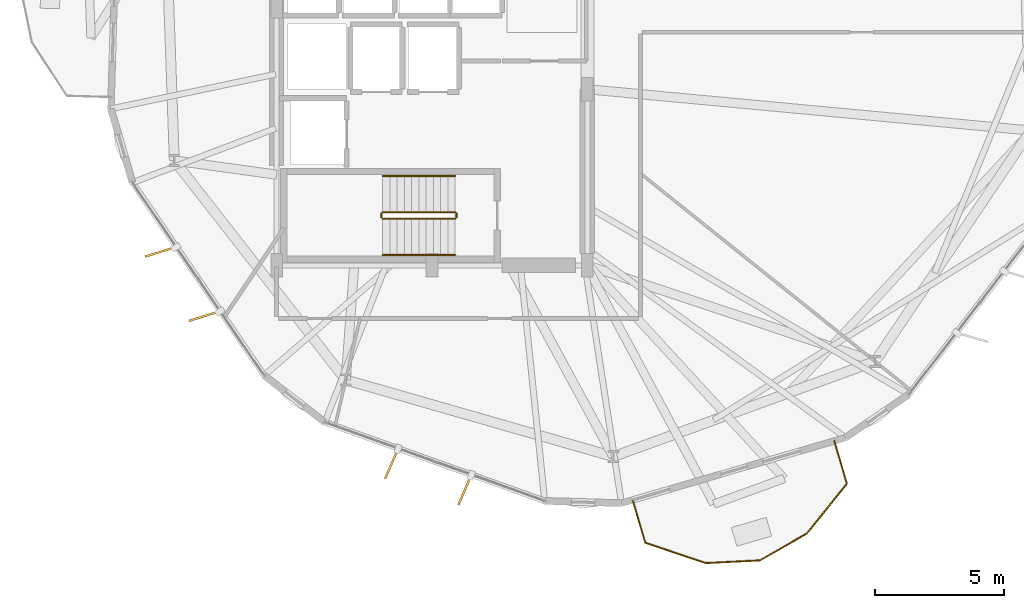
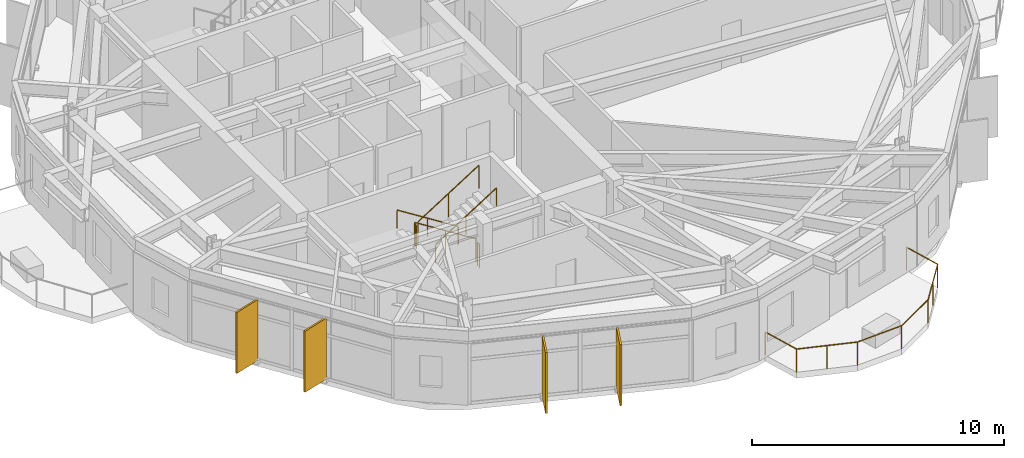
# One storey, part 22 of 24: 7 railings, 4 shading devices.
"""IFC4 building model written with IfcOpenShell, lengths in metres."""

from ifc_helpers import new_model, si_unit, direction, frame, origin, origin_2d, place, context, subcontext, project, spatial, rectangle, circle, extrude, material, layer, layer_set, type_object, element, save


model = new_model("IFC4")

# Units and contexts
model_context = context("Model", 3, precision=1e-05, world=origin(), true_north=direction((0.0, 1.0)))
body_context = subcontext(model_context, "Body", "Model", "MODEL_VIEW")
ifc_project = project(units=[si_unit("LENGTHUNIT", "METRE"), si_unit("AREAUNIT", "SQUARE_METRE"), si_unit("VOLUMEUNIT", "CUBIC_METRE"), si_unit("PLANEANGLEUNIT", "RADIAN"), si_unit("MASSUNIT", "GRAM", prefix="KILO")], contexts=[model_context])

# Site, building, storey
site_placement = place(None, origin())
site = spatial("IfcSite", under=ifc_project, at=site_placement, CompositionType="ELEMENT")
building_placement = place(site_placement, origin())
building = spatial("IfcBuilding", under=site, at=building_placement, Name="Soratama Intermodal Tower", CompositionType="ELEMENT")
storey_placement = place(building_placement, frame((0.0, 0.0, 91.300048828125)))
storey = spatial("IfcBuildingStorey", under=building, at=storey_placement, Name="L21", CompositionType="ELEMENT", Elevation=91.300048828125)

# Railings
ifc_material_1 = material(Name="Laminated glass and stainless steel balustrade", Category="steel")
railing_type_1 = type_object("IfcRailingType", Name="RL-BAL-1150", PredefinedType="BALUSTRADE", material=ifc_material_1)
railing_1_placement = place(storey_placement, frame((54.142578125, 8.217529296875, 0.0)))
element("IfcRailing", 1, at=railing_1_placement, inside=storey, type_object=railing_type_1, Name="L21 Balcony Balustrade 4", PredefinedType="BALUSTRADE", context=body_context, shape_type="SweptSolid", body=[
    extrude(circle(Radius=0.02392578125, at=origin_2d()), frame((0.0, 0.0, 1.1259765625), z_axis=(0.281051817355, -0.959692594512, 0.0), x_axis=(0.959692594512, 0.281051817355, 0.0)), (0.0, 0.0, 1.0), 1.719970703125),
    extrude(circle(Radius=0.02392578125, at=origin_2d()), frame((0.4833984375, -1.650634765625, 1.1259765625), z_axis=(-0.626366479274, -0.779528725348, 0.0), x_axis=(0.779528725348, -0.626366479274, 0.0)), (0.0, 0.0, 1.0), 2.473876953125),
    extrude(circle(Radius=0.02392578125, at=origin_2d()), frame((-1.066162109375, -3.5791015625, 1.1259765625), z_axis=(-0.868113498984, -0.496365745072, 0.0), x_axis=(0.496365745072, -0.868113498984, 0.0)), (0.0, 0.0, 1.0), 2.08642578125),
    extrude(circle(Radius=0.02392578125, at=origin_2d()), frame((-2.87744140625, -4.61474609375, 1.1259765625), z_axis=(-0.998739172776, -0.050200246646, 0.0), x_axis=(0.050200246646, -0.998739172776, 0.0)), (0.0, 0.0, 1.0), 2.08642578125),
    extrude(circle(Radius=0.02392578125, at=origin_2d()), frame((-4.961181640625, -4.719482421875, 1.1259765625), z_axis=(-0.947940583729, 0.318447247938, 0.0), x_axis=(-0.318447247938, -0.947940583729, 0.0)), (0.0, 0.0, 1.0), 2.47412109375),
    extrude(circle(Radius=0.02392578125, at=origin_2d()), frame((-7.306396484375, -3.931640625, 1.1259765625), z_axis=(-0.280921076452, 0.959730873112, 0.0), x_axis=(-0.959730873112, -0.280921076452, 0.0)), (0.0, 0.0, 1.0), 1.719970703125),
    extrude(circle(Radius=0.02099609375, at=origin_2d()), origin(), (0.0, 0.0, 1.0), 1.101806640625),
    extrude(circle(Radius=0.02099609375, at=origin_2d()), frame((0.4833984375, -1.650634765625, 0.0)), (0.0, 0.0, 1.0), 1.101806640625),
    extrude(circle(Radius=0.02099609375, at=origin_2d()), frame((-0.29150390625, -2.61474609375, 0.0)), (0.0, 0.0, 1.0), 1.101806640625),
    extrude(circle(Radius=0.02099609375, at=origin_2d()), frame((-1.066162109375, -3.5791015625, 0.0)), (0.0, 0.0, 1.0), 1.101806640625),
    extrude(circle(Radius=0.02099609375, at=origin_2d()), frame((-2.87744140625, -4.61474609375, 0.0)), (0.0, 0.0, 1.0), 1.101806640625),
    extrude(circle(Radius=0.02099609375, at=origin_2d()), frame((-4.961181640625, -4.719482421875, 0.0)), (0.0, 0.0, 1.0), 1.101806640625),
    extrude(circle(Radius=0.02099609375, at=origin_2d()), frame((-6.1337890625, -4.32568359375, 0.0)), (0.0, 0.0, 1.0), 1.101806640625),
    extrude(circle(Radius=0.02099609375, at=origin_2d()), frame((-7.306396484375, -3.931640625, 0.0)), (0.0, 0.0, 1.0), 1.101806640625),
    extrude(circle(Radius=0.02099609375, at=origin_2d()), frame((-7.78955078125, -2.281005859375, 0.0)), (0.0, 0.0, 1.0), 1.101806640625),
])
ifc_material_2 = material(Name="Painted steel stair guardrail", Category="steel")
railing_type_2 = type_object("IfcRailingType", Name="RL-STAIR-GUARD", PredefinedType="GUARDRAIL", material=ifc_material_2)
railing_2_placement = place(storey_placement, frame((39.5, 17.050048828125, 0.17724609375)))
element("IfcRailing", 2, at=railing_2_placement, inside=storey, type_object=railing_type_2, Name="L21 ST-1 stair guard 1", PredefinedType="GUARDRAIL", context=body_context, shape_type="SweptSolid", body=[
    extrude(circle(Radius=0.02392578125, at=origin_2d()), frame((0.0, 0.0, 1.1259765625), z_axis=(-0.844908973607, 0.0, 0.534910110503), x_axis=(0.0, -1.0, 0.0)), (0.0, 0.0, 1.0), 3.31396484375),
    extrude(circle(Radius=0.02099609375, at=origin_2d()), origin(), (0.0, 0.0, 1.0), 1.101806640625),
    extrude(circle(Radius=0.02099609375, at=origin_2d()), frame((-1.39990234375, 0.0, 0.88623046875)), (0.0, 0.0, 1.0), 1.101806640625),
    extrude(circle(Radius=0.02099609375, at=origin_2d()), frame((-2.800048828125, 0.0, 1.772705078125)), (0.0, 0.0, 1.0), 1.101806640625),
])
railing_3_placement = place(storey_placement, frame((36.64990234375, 17.0, 1.949951171875)))
element("IfcRailing", 3, at=railing_3_placement, inside=storey, type_object=railing_type_2, Name="L21 ST-1 stair guard 2", PredefinedType="GUARDRAIL", context=body_context, shape_type="SweptSolid", body=[
    extrude(circle(Radius=0.02392578125, at=origin_2d()), frame((0.0, 0.0, 1.1259765625), z_axis=(0.0, -1.0, 0.0), x_axis=(1.0, 0.0, 0.0)), (0.0, 0.0, 1.0), 0.14990234375),
    extrude(circle(Radius=0.02099609375, at=origin_2d()), origin(), (0.0, 0.0, 1.0), 1.101806640625),
    extrude(circle(Radius=0.02099609375, at=origin_2d()), frame((0.0, -0.14990234375, 0.0)), (0.0, 0.0, 1.0), 1.101806640625),
])
railing_4_placement = place(storey_placement, frame((36.699951171875, 16.800048828125, 2.127197265625)))
element("IfcRailing", 4, at=railing_4_placement, inside=storey, type_object=railing_type_2, Name="L21 ST-1 stair guard 3", PredefinedType="GUARDRAIL", context=body_context, shape_type="SweptSolid", body=[
    extrude(circle(Radius=0.02392578125, at=origin_2d()), frame((0.0, 0.0, 1.1259765625), z_axis=(0.844908973607, 0.0, 0.534910110503), x_axis=(0.0, 1.0, 0.0)), (0.0, 0.0, 1.0), 3.31396484375),
    extrude(circle(Radius=0.02099609375, at=origin_2d()), origin(), (0.0, 0.0, 1.0), 1.101806640625),
    extrude(circle(Radius=0.02099609375, at=origin_2d()), frame((1.39990234375, 0.0, 0.88623046875)), (0.0, 0.0, 1.0), 1.101806640625),
    extrude(circle(Radius=0.02099609375, at=origin_2d()), frame((2.800048828125, 0.0, 1.772705078125)), (0.0, 0.0, 1.0), 1.101806640625),
])
railing_5_placement = place(storey_placement, frame((39.550048828125, 17.0, 0.0)))
element("IfcRailing", 5, at=railing_5_placement, inside=storey, type_object=railing_type_2, Name="L21 ST-1 stair guard 4", PredefinedType="GUARDRAIL", context=body_context, shape_type="SweptSolid", body=[
    extrude(circle(Radius=0.02392578125, at=origin_2d()), frame((0.0, 0.0, 1.1259765625), z_axis=(0.0, -1.0, 0.0), x_axis=(1.0, 0.0, 0.0)), (0.0, 0.0, 1.0), 0.14990234375),
    extrude(circle(Radius=0.02099609375, at=origin_2d()), origin(), (0.0, 0.0, 1.0), 1.101806640625),
    extrude(circle(Radius=0.02099609375, at=origin_2d()), frame((0.0, -0.14990234375, 0.0)), (0.0, 0.0, 1.0), 1.101806640625),
])
ifc_material_3 = material(Name="Brushed stainless steel handrail", Category="steel")
railing_type_3 = type_object("IfcRailingType", Name="RL-STAIR-HAND", PredefinedType="HANDRAIL", material=ifc_material_3)
railing_6_placement = place(storey_placement, frame((39.5, 18.449951171875, 0.17724609375)))
element("IfcRailing", 6, at=railing_6_placement, inside=storey, type_object=railing_type_3, Name="L21 ST-1 stair handrail 1", PredefinedType="HANDRAIL", context=body_context, shape_type="SweptSolid", body=[
    extrude(circle(Radius=0.02392578125, at=origin_2d()), frame((0.0, 0.0, 0.8759765625), z_axis=(-0.844908973607, 0.0, 0.534910110503), x_axis=(0.0, -1.0, 0.0)), (0.0, 0.0, 1.0), 3.31396484375),
    extrude(circle(Radius=0.02099609375, at=origin_2d()), origin(), (0.0, 0.0, 1.0), 0.851806640625),
    extrude(circle(Radius=0.02099609375, at=origin_2d()), frame((-1.39990234375, 0.0, 0.88623046875)), (0.0, 0.0, 1.0), 0.851806640625),
    extrude(circle(Radius=0.02099609375, at=origin_2d()), frame((-2.800048828125, 0.0, 1.772705078125)), (0.0, 0.0, 1.0), 0.851806640625),
])
railing_7_placement = place(storey_placement, frame((36.699951171875, 15.39990234375, 2.127197265625)))
element("IfcRailing", 7, at=railing_7_placement, inside=storey, type_object=railing_type_3, Name="L21 ST-1 stair handrail 2", PredefinedType="HANDRAIL", context=body_context, shape_type="SweptSolid", body=[
    extrude(circle(Radius=0.02392578125, at=origin_2d()), frame((0.0, 0.0, 0.8759765625), z_axis=(0.844908973607, 0.0, 0.534910110503), x_axis=(0.0, 1.0, 0.0)), (0.0, 0.0, 1.0), 3.31396484375),
    extrude(circle(Radius=0.02099609375, at=origin_2d()), origin(), (0.0, 0.0, 1.0), 0.851806640625),
    extrude(circle(Radius=0.02099609375, at=origin_2d()), frame((1.39990234375, 0.0, 0.88623046875)), (0.0, 0.0, 1.0), 0.851806640625),
    extrude(circle(Radius=0.02099609375, at=origin_2d()), frame((2.800048828125, 0.0, 1.772705078125)), (0.0, 0.0, 1.0), 0.851806640625),
])

# Shading devices
ifc_material_4 = material(Name="Champagne anodised aluminium solar fin", Category="aluminium")
ifc_layer = layer(ifc_material_4, 0.080078125)
ifc_layer_set = layer_set([ifc_layer], Name="Champagne anodised aluminium solar fin")
shading_device_type = type_object("IfcShadingDeviceType", Name="SH-FIN-1250", PredefinedType="USERDEFINED", material=ifc_layer_set)
for number, where, z_axis, x_axis, name in (
    (8, (28.11279296875, 15.519287109375, 0.02001953125), (0.0, 0.0, 1.0), (-0.954500927457, -0.298207946716, 0.0), "L21 Solar Fin F06-1"),
    (9, (29.8076171875, 13.037109375, 0.02001953125), (0.0, 0.0, 1.0), (-0.954500927457, -0.298207946716, 0.0), "L21 Solar Fin F06-2"),
    (10, (37.039306640625, 7.32958984375, 0.02001953125), (0.0, 0.0, 1.0), (-0.397628371371, -0.91754655374, 0.0), "L21 Solar Fin F07-1"),
    (11, (39.869384765625, 6.3173828125, 0.02001953125), (0.0, 0.0, 1.0), (-0.397628371371, -0.91754655374, 0.0), "L21 Solar Fin F07-2"),
):
    element("IfcShadingDevice", number, at=place(storey_placement, frame(where, z_axis=z_axis, x_axis=x_axis)), inside=storey, type_object=shading_device_type, Name=name, ObjectType="FIN", PredefinedType="USERDEFINED", context=body_context, shape_type="SweptSolid", body=[
        extrude(rectangle(XDim=1.25, YDim=0.080078125, at=origin_2d()), origin(), (0.0, 0.0, 1.0), 2.958984375),
    ])

save(model, "model.ifc")
